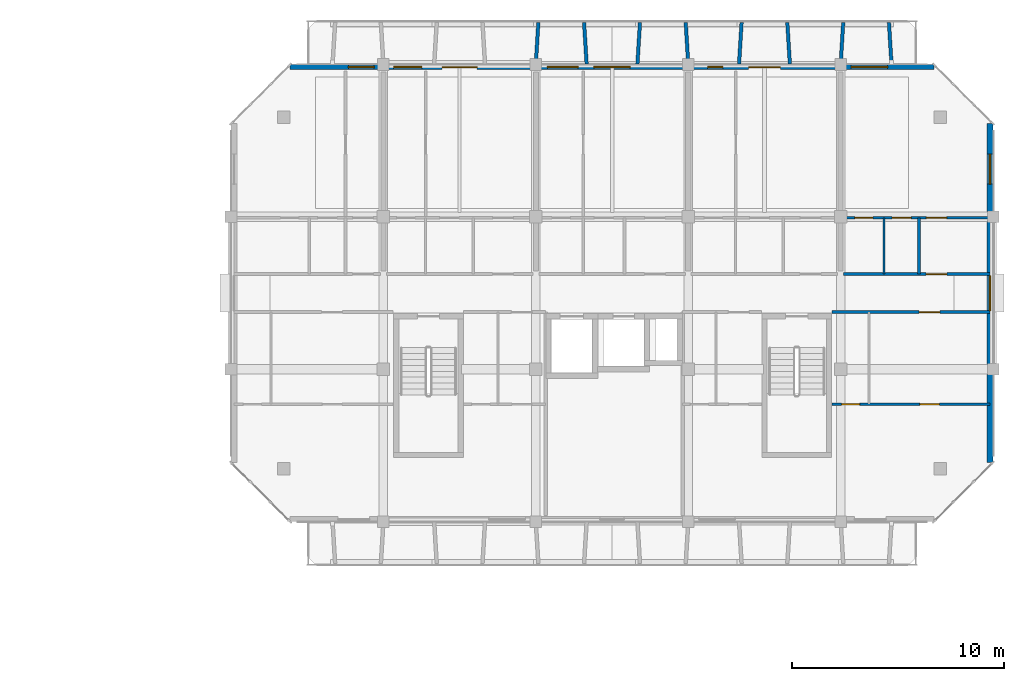
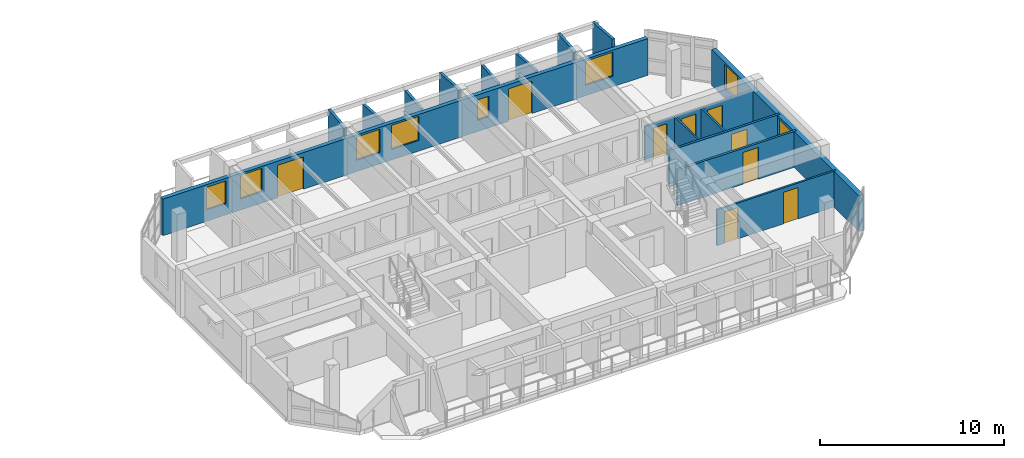
# One storey, part 46 of 64: 16 walls, 9 doors, 8 windows, 17 openings.
"""IFC4 building model written with IfcOpenShell, lengths in metres."""

from ifc_helpers import new_model, si_unit, direction, frame, frame_2d, origin, place, context, subcontext, project, spatial, rectangle, extrude, material, layer, layer_set, type_object, element, fill, save


model = new_model("IFC4")

# Units and contexts
model_context = context("Model", 3, precision=1e-05, world=origin(), true_north=direction((0.0, 1.0)))
body_context = subcontext(model_context, "Body", "Model", "MODEL_VIEW")
ifc_project = project(units=[si_unit("LENGTHUNIT", "METRE"), si_unit("AREAUNIT", "SQUARE_METRE"), si_unit("VOLUMEUNIT", "CUBIC_METRE"), si_unit("PLANEANGLEUNIT", "RADIAN"), si_unit("MASSUNIT", "GRAM", prefix="KILO")], contexts=[model_context])

# Site, building, storey
site_placement = place(None, origin())
site = spatial("IfcSite", under=ifc_project, at=site_placement, CompositionType="ELEMENT")
building_placement = place(site_placement, origin())
building = spatial("IfcBuilding", under=site, at=building_placement, Name="Ochrevale Crest", CompositionType="ELEMENT")
storey_placement = place(building_placement, frame((0.0, 0.0, 8.699951171875)))
storey = spatial("IfcBuildingStorey", under=building, at=storey_placement, Name="L02", CompositionType="ELEMENT", Elevation=8.699951171875)

# Wall, opening, door
ifc_material_1 = material(Name="Gypsum plasterboard", Category="gypsum")
ifc_layer_1 = layer(ifc_material_1, 0.139892578125)
ifc_layer_set_1 = layer_set([ifc_layer_1], Name="Gypsum plasterboard")
wall_type_1 = type_object("IfcWallType", Name="WL-COR-140", PredefinedType="PARTITIONING", material=ifc_layer_set_1)
wall_1_placement = place(storey_placement, frame((158.5400390625, 83.699951171875, 0.0), z_axis=(0.0, 0.0, 1.0), x_axis=(1.0, 0.0, 0.0)))
wall_1 = element("IfcWall", 1, at=wall_1_placement, inside=storey, type_object=wall_type_1, Name="Apartment D-L02-U5 corridor wall", PredefinedType="PARTITIONING", context=body_context, shape_type="SweptSolid", body=[
    extrude(rectangle(XDim=6.919921875, YDim=0.139892578125, at=frame_2d((3.4599609375, 0.0))), origin(), (0.0, 0.0, 1.0), 2.380126953125),
])
opening_1_placement = place(wall_1_placement, frame((4.875, 0.0, 0.0), z_axis=(0.0, 0.0, 1.0), x_axis=(-1.0, 0.0, 0.0)))
opening_1 = element("IfcOpeningElement", 2, at=opening_1_placement, cuts=wall_1, Name="Opening FD01", PredefinedType="OPENING", context=body_context, shape_type="SweptSolid", body=[
    extrude(rectangle(XDim=0.97998046875, YDim=2.10009765625, at=frame_2d((0.489990234375, 1.050048828125))), frame((0.0, 0.080078125, 0.0), z_axis=(0.0, -1.0, 0.0), x_axis=(1.0, 0.0, 0.0)), (0.0, 0.0, 1.0), 0.159912109375),
])
ifc_material_2 = material(Name="Solid-core FSC hardwood", Category="wood")
door_type_1 = type_object("IfcDoorType", Name="DR-APT-950", OperationType="NOTDEFINED", PredefinedType="DOOR", material=ifc_material_2)
door_1_placement = place(opening_1_placement, origin())
door_1 = element("IfcDoor", 3, at=door_1_placement, inside=storey, type_object=door_type_1, Name="Apartment D-L02-U5 entrance door", OperationType="SINGLE_SWING_RIGHT", OverallHeight=2.10009765625, OverallWidth=0.97998046875, PredefinedType="DOOR", context=body_context, shape_type="SweptSolid", body=[
    extrude(rectangle(XDim=0.97998046875, YDim=2.10009765625, at=frame_2d((0.489990234375, 1.050048828125))), frame((0.0, 0.02490234375, 0.0), z_axis=(0.0, -1.0, 0.0), x_axis=(1.0, 0.0, 0.0)), (0.0, 0.0, 1.0), 0.050048828125),
])
fill(opening_1, door_1)

wall_2_placement = place(storey_placement, frame((157.989990234375, 81.89990234375, 0.0), z_axis=(0.0, 0.0, 1.0), x_axis=(1.0, 0.0, 0.0)))
wall_2 = element("IfcWall", 4, at=wall_2_placement, inside=storey, type_object=wall_type_1, Name="Suite D-L02-CE corridor wall", PredefinedType="PARTITIONING", context=body_context, shape_type="SweptSolid", body=[
    extrude(rectangle(XDim=7.469970703125, YDim=0.139892578125, at=frame_2d((3.73486328125, 0.0))), origin(), (0.0, 0.0, 1.0), 2.380126953125),
])
opening_2_placement = place(wall_2_placement, frame((4.1201171875, 0.0, 0.0)))
opening_2 = element("IfcOpeningElement", 5, at=opening_2_placement, cuts=wall_2, Name="Opening FD01", PredefinedType="OPENING", context=body_context, shape_type="SweptSolid", body=[
    extrude(rectangle(XDim=0.97998046875, YDim=2.10009765625, at=frame_2d((0.489990234375, 1.050048828125))), frame((0.0, 0.080078125, 0.0), z_axis=(0.0, -1.0, 0.0), x_axis=(1.0, 0.0, 0.0)), (0.0, 0.0, 1.0), 0.159912109375),
])
door_2_placement = place(opening_2_placement, origin())
door_2 = element("IfcDoor", 6, at=door_2_placement, inside=storey, type_object=door_type_1, Name="Suite D-L02-CE entrance door", OperationType="SINGLE_SWING_LEFT", OverallHeight=2.10009765625, OverallWidth=0.97998046875, PredefinedType="DOOR", context=body_context, shape_type="SweptSolid", body=[
    extrude(rectangle(XDim=0.97998046875, YDim=2.10009765625, at=frame_2d((0.489990234375, 1.050048828125))), frame((0.0, 0.02490234375, 0.0), z_axis=(0.0, -1.0, 0.0), x_axis=(1.0, 0.0, 0.0)), (0.0, 0.0, 1.0), 0.050048828125),
])
fill(opening_2, door_2)

# Wall, openings, windows
ifc_material_3 = material(Name="Clay face brickwork", Category="masonry")
ifc_layer_2 = layer(ifc_material_3, 0.2900390625)
ifc_layer_set_2 = layer_set([ifc_layer_2], Name="Clay face brickwork")
wall_type_2 = type_object("IfcWallType", Name="WL-EXT-BRICK-290", PredefinedType="SOLIDWALL", material=ifc_layer_set_2)
wall_3_placement = place(storey_placement, frame((165.455078125, 74.800048828125, 0.0), z_axis=(0.0, 0.0, 1.0), x_axis=(0.0, 1.0, 0.0)))
wall_3 = element("IfcWall", 7, at=wall_3_placement, inside=storey, type_object=wall_type_2, Name="Block D L02 external facade wall E3", PredefinedType="SOLIDWALL", context=body_context, shape_type="SweptSolid", body=[
    extrude(rectangle(XDim=16.0, YDim=0.2900390625, at=frame_2d((8.0, 0.0))), origin(), (0.0, 0.0, 1.0), 2.380126953125),
])
opening_3_placement = place(wall_3_placement, frame((7.175048828125, 0.0, 1.050048828125)))
opening_3 = element("IfcOpeningElement", 8, at=opening_3_placement, cuts=wall_3, Name="Opening W19", PredefinedType="OPENING", context=body_context, shape_type="SweptSolid", body=[
    extrude(rectangle(XDim=1.64990234375, YDim=1.14990234375, at=frame_2d((0.824951171875, 0.574951171875))), frame((0.0, 0.155029296875, 0.0), z_axis=(0.0, -1.0, 0.0), x_axis=(1.0, 0.0, 0.0)), (0.0, 0.0, 1.0), 0.31005859375),
])
opening_4_placement = place(wall_3_placement, frame((13.142578125, 0.0, 0.669921875)))
opening_4 = element("IfcOpeningElement", 9, at=opening_4_placement, cuts=wall_3, Name="Opening W31", PredefinedType="OPENING", context=body_context, shape_type="SweptSolid", body=[
    extrude(rectangle(XDim=1.419921875, YDim=1.60009765625, at=frame_2d((0.7099609375, 0.800048828125))), frame((0.0, 0.155029296875, 0.0), z_axis=(0.0, -1.0, 0.0), x_axis=(1.0, 0.0, 0.0)), (0.0, 0.0, 1.0), 0.31005859375),
])
ifc_material_4 = material(Name="Anodised aluminium 6063-T5 and low-E double glazing", Category="aluminium")
window_type_1 = type_object("IfcWindowType", Name="WIN-W19", PartitioningType="SINGLE_PANEL", PredefinedType="WINDOW", material=ifc_material_4)
window_1_placement = place(opening_3_placement, origin())
window_1 = element("IfcWindow", 10, at=window_1_placement, inside=storey, type_object=window_type_1, Name="Block D L02 corridor end daylight window E", OverallHeight=1.14990234375, OverallWidth=1.64990234375, PartitioningType="SINGLE_PANEL", PredefinedType="WINDOW", context=body_context, shape_type="SweptSolid", body=[
    extrude(rectangle(XDim=1.64990234375, YDim=1.14990234375, at=frame_2d((0.824951171875, 0.574951171875))), frame((0.0, 0.030029296875, 0.0), z_axis=(0.0, -1.0, 0.0), x_axis=(1.0, 0.0, 0.0)), (0.0, 0.0, 1.0), 0.06005859375),
])
fill(opening_3, window_1)
window_type_2 = type_object("IfcWindowType", Name="WIN-W31", PartitioningType="SINGLE_PANEL", PredefinedType="WINDOW", material=ifc_material_4)
window_2_placement = place(opening_4_placement, origin())
window_2 = element("IfcWindow", 11, at=window_2_placement, inside=storey, type_object=window_type_2, Name="Block D L02 side suite window E", OverallHeight=1.60009765625, OverallWidth=1.419921875, PartitioningType="SINGLE_PANEL", PredefinedType="WINDOW", context=body_context, shape_type="SweptSolid", body=[
    extrude(rectangle(XDim=1.419921875, YDim=1.60009765625, at=frame_2d((0.7099609375, 0.800048828125))), frame((0.0, 0.030029296875, 0.0), z_axis=(0.0, -1.0, 0.0), x_axis=(1.0, 0.0, 0.0)), (0.0, 0.0, 1.0), 0.06005859375),
])
fill(opening_4, window_2)

# Wall, openings, doors, windows
ifc_material_5 = material(Name="Precast concrete C40/50", Category="concrete")
ifc_layer_3 = layer(ifc_material_5, 0.25)
ifc_layer_set_3 = layer_set([ifc_layer_3], Name="Precast concrete C40/50")
wall_type_3 = type_object("IfcWallType", Name="WL-EXT-GOLD-250", PredefinedType="SOLIDWALL", material=ifc_layer_set_3)
wall_4_placement = place(storey_placement, frame((162.800048828125, 93.47509765625, 0.0), z_axis=(0.0, 0.0, 1.0), x_axis=(-1.0, 0.0, 0.0)))
wall_4 = element("IfcWall", 12, at=wall_4_placement, inside=storey, type_object=wall_type_3, Name="Block D L02 external facade wall E5", PredefinedType="SOLIDWALL", context=body_context, shape_type="SweptSolid", body=[
    extrude(rectangle(XDim=30.400146484375, YDim=0.25, at=frame_2d((15.2001953125, 0.0))), origin(), (0.0, 0.0, 1.0), 2.429931640625),
])
opening_5_placement = place(wall_4_placement, frame((23.224853515625, 0.0, 0.0), z_axis=(0.0, 0.0, 1.0), x_axis=(-1.0, 0.0, 0.0)))
opening_5 = element("IfcOpeningElement", 13, at=opening_5_placement, cuts=wall_4, Name="Opening BD02", PredefinedType="OPENING", context=body_context, shape_type="SweptSolid", body=[
    extrude(rectangle(XDim=1.64990234375, YDim=2.14990234375, at=frame_2d((0.824951171875, 1.074951171875))), frame((0.0, 0.135009765625, 0.0), z_axis=(0.0, -1.0, 0.0), x_axis=(1.0, 0.0, 0.0)), (0.0, 0.0, 1.0), 0.27001953125),
])
opening_6_placement = place(wall_4_placement, frame((8.75, 0.0, 0.0), z_axis=(0.0, 0.0, 1.0), x_axis=(-1.0, 0.0, 0.0)))
opening_6 = element("IfcOpeningElement", 14, at=opening_6_placement, cuts=wall_4, Name="Opening BD01", PredefinedType="OPENING", context=body_context, shape_type="SweptSolid", body=[
    extrude(rectangle(XDim=1.5, YDim=2.14990234375, at=frame_2d((0.75, 1.074951171875))), frame((0.0, 0.135009765625, 0.0), z_axis=(0.0, -1.0, 0.0), x_axis=(1.0, 0.0, 0.0)), (0.0, 0.0, 1.0), 0.27001953125),
])
opening_7_placement = place(wall_4_placement, frame((26.4375, 0.0, 0.75)))
opening_7 = element("IfcOpeningElement", 15, at=opening_7_placement, cuts=wall_4, Name="Opening W06", PredefinedType="OPENING", context=body_context, shape_type="SweptSolid", body=[
    extrude(rectangle(XDim=1.219970703125, YDim=1.5, at=frame_2d((0.60986328125, 0.75))), frame((0.0, 0.135009765625, 0.0), z_axis=(0.0, -1.0, 0.0), x_axis=(1.0, 0.0, 0.0)), (0.0, 0.0, 1.0), 0.27001953125),
])
opening_8_placement = place(wall_4_placement, frame((24.1826171875, 0.0, 0.75)))
opening_8 = element("IfcOpeningElement", 16, at=opening_8_placement, cuts=wall_4, Name="Opening W07", PredefinedType="OPENING", context=body_context, shape_type="SweptSolid", body=[
    extrude(rectangle(XDim=1.340087890625, YDim=1.550048828125, at=frame_2d((0.669921875, 0.77490234375))), frame((0.0, 0.135009765625, 0.0), z_axis=(0.0, -1.0, 0.0), x_axis=(1.0, 0.0, 0.0)), (0.0, 0.0, 1.0), 0.27001953125),
])
opening_9_placement = place(wall_4_placement, frame((16.797607421875, 0.0, 0.75)))
opening_9 = element("IfcOpeningElement", 17, at=opening_9_placement, cuts=wall_4, Name="Opening W08", PredefinedType="OPENING", context=body_context, shape_type="SweptSolid", body=[
    extrude(rectangle(XDim=1.4599609375, YDim=1.550048828125, at=frame_2d((0.72998046875, 0.77490234375))), frame((0.0, 0.135009765625, 0.0), z_axis=(0.0, -1.0, 0.0), x_axis=(1.0, 0.0, 0.0)), (0.0, 0.0, 1.0), 0.27001953125),
])
opening_10_placement = place(wall_4_placement, frame((14.340087890625, 0.0, 0.699951171875)))
opening_10 = element("IfcOpeningElement", 18, at=opening_10_placement, cuts=wall_4, Name="Opening W10", PredefinedType="OPENING", context=body_context, shape_type="SweptSolid", body=[
    extrude(rectangle(XDim=1.719970703125, YDim=1.60009765625, at=frame_2d((0.85986328125, 0.800048828125))), frame((0.0, 0.135009765625, 0.0), z_axis=(0.0, -1.0, 0.0), x_axis=(1.0, 0.0, 0.0)), (0.0, 0.0, 1.0), 0.27001953125),
])
opening_11_placement = place(wall_4_placement, frame((9.967529296875, 0.0, 0.75)))
opening_11 = element("IfcOpeningElement", 19, at=opening_11_placement, cuts=wall_4, Name="Opening W02", PredefinedType="OPENING", context=body_context, shape_type="SweptSolid", body=[
    extrude(rectangle(XDim=0.719970703125, YDim=1.35009765625, at=frame_2d((0.35986328125, 0.675048828125))), frame((0.0, 0.135009765625, 0.0), z_axis=(0.0, -1.0, 0.0), x_axis=(1.0, 0.0, 0.0)), (0.0, 0.0, 1.0), 0.27001953125),
])
opening_12_placement = place(wall_4_placement, frame((2.1826171875, 0.0, 0.699951171875)))
opening_12 = element("IfcOpeningElement", 20, at=opening_12_placement, cuts=wall_4, Name="Opening W10", PredefinedType="OPENING", context=body_context, shape_type="SweptSolid", body=[
    extrude(rectangle(XDim=1.719970703125, YDim=1.60009765625, at=frame_2d((0.85986328125, 0.800048828125))), frame((0.0, 0.135009765625, 0.0), z_axis=(0.0, -1.0, 0.0), x_axis=(1.0, 0.0, 0.0)), (0.0, 0.0, 1.0), 0.27001953125),
])
ifc_material_6 = material(Name="Anodised aluminium 6063-T5 and toughened glass", Category="aluminium")
door_type_2 = type_object("IfcDoorType", Name="DR-BAL-1500", OperationType="NOTDEFINED", PredefinedType="DOOR", material=ifc_material_6)
door_3_placement = place(opening_6_placement, origin())
door_3 = element("IfcDoor", 21, at=door_3_placement, inside=storey, type_object=door_type_2, Name="Block D L02 balcony door N4", OperationType="SINGLE_SWING_RIGHT", OverallHeight=2.14990234375, OverallWidth=1.5, PredefinedType="DOOR", context=body_context, shape_type="SweptSolid", body=[
    extrude(rectangle(XDim=1.5, YDim=2.14990234375, at=frame_2d((0.75, 1.074951171875))), frame((0.0, 0.02490234375, 0.0), z_axis=(0.0, -1.0, 0.0), x_axis=(1.0, 0.0, 0.0)), (0.0, 0.0, 1.0), 0.050048828125),
])
fill(opening_6, door_3)
door_type_3 = type_object("IfcDoorType", Name="DR-BAL-1650", OperationType="NOTDEFINED", PredefinedType="DOOR", material=ifc_material_6)
door_4_placement = place(opening_5_placement, origin())
door_4 = element("IfcDoor", 22, at=door_4_placement, inside=storey, type_object=door_type_3, Name="Block D L02 balcony door N2", OperationType="SINGLE_SWING_LEFT", OverallHeight=2.14990234375, OverallWidth=1.64990234375, PredefinedType="DOOR", context=body_context, shape_type="SweptSolid", body=[
    extrude(rectangle(XDim=1.64990234375, YDim=2.14990234375, at=frame_2d((0.824951171875, 1.074951171875))), frame((0.0, 0.02490234375, 0.0), z_axis=(0.0, -1.0, 0.0), x_axis=(1.0, 0.0, 0.0)), (0.0, 0.0, 1.0), 0.050048828125),
])
fill(opening_5, door_4)
window_type_3 = type_object("IfcWindowType", Name="WIN-W02", PartitioningType="SINGLE_PANEL", PredefinedType="WINDOW", material=ifc_material_4)
window_3_placement = place(opening_11_placement, origin())
window_3 = element("IfcWindow", 23, at=window_3_placement, inside=storey, type_object=window_type_3, Name="Block D L02 Apartment D-L02-U4 Twin Bedroom window", OverallHeight=1.35009765625, OverallWidth=0.719970703125, PartitioningType="SINGLE_PANEL", PredefinedType="WINDOW", context=body_context, shape_type="SweptSolid", body=[
    extrude(rectangle(XDim=0.719970703125, YDim=1.35009765625, at=frame_2d((0.35986328125, 0.675048828125))), frame((0.0, 0.030029296875, 0.0), z_axis=(0.0, -1.0, 0.0), x_axis=(1.0, 0.0, 0.0)), (0.0, 0.0, 1.0), 0.06005859375),
])
fill(opening_11, window_3)
window_type_4 = type_object("IfcWindowType", Name="WIN-W06", PartitioningType="SINGLE_PANEL", PredefinedType="WINDOW", material=ifc_material_4)
window_4_placement = place(opening_7_placement, origin())
window_4 = element("IfcWindow", 24, at=window_4_placement, inside=storey, type_object=window_type_4, Name="Block D L02 Apartment D-L02-U1 Two Bedroom Living Room window", OverallHeight=1.5, OverallWidth=1.219970703125, PartitioningType="SINGLE_PANEL", PredefinedType="WINDOW", context=body_context, shape_type="SweptSolid", body=[
    extrude(rectangle(XDim=1.219970703125, YDim=1.5, at=frame_2d((0.60986328125, 0.75))), frame((0.0, 0.030029296875, 0.0), z_axis=(0.0, -1.0, 0.0), x_axis=(1.0, 0.0, 0.0)), (0.0, 0.0, 1.0), 0.06005859375),
])
fill(opening_7, window_4)
window_type_5 = type_object("IfcWindowType", Name="WIN-W07", PartitioningType="SINGLE_PANEL", PredefinedType="WINDOW", material=ifc_material_4)
window_5_placement = place(opening_8_placement, origin())
window_5 = element("IfcWindow", 25, at=window_5_placement, inside=storey, type_object=window_type_5, Name="Block D L02 Apartment D-L02-U2 Master Bedroom window", OverallHeight=1.550048828125, OverallWidth=1.340087890625, PartitioningType="SINGLE_PANEL", PredefinedType="WINDOW", context=body_context, shape_type="SweptSolid", body=[
    extrude(rectangle(XDim=1.340087890625, YDim=1.550048828125, at=frame_2d((0.669921875, 0.77490234375))), frame((0.0, 0.030029296875, 0.0), z_axis=(0.0, -1.0, 0.0), x_axis=(1.0, 0.0, 0.0)), (0.0, 0.0, 1.0), 0.06005859375),
])
fill(opening_8, window_5)
window_type_6 = type_object("IfcWindowType", Name="WIN-W08", PartitioningType="SINGLE_PANEL", PredefinedType="WINDOW", material=ifc_material_4)
window_6_placement = place(opening_9_placement, origin())
window_6 = element("IfcWindow", 26, at=window_6_placement, inside=storey, type_object=window_type_6, Name="Block D L02 Apartment D-L02-U3 Master Bedroom window", OverallHeight=1.550048828125, OverallWidth=1.4599609375, PartitioningType="SINGLE_PANEL", PredefinedType="WINDOW", context=body_context, shape_type="SweptSolid", body=[
    extrude(rectangle(XDim=1.4599609375, YDim=1.550048828125, at=frame_2d((0.72998046875, 0.77490234375))), frame((0.0, 0.030029296875, 0.0), z_axis=(0.0, -1.0, 0.0), x_axis=(1.0, 0.0, 0.0)), (0.0, 0.0, 1.0), 0.06005859375),
])
fill(opening_9, window_6)
window_type_7 = type_object("IfcWindowType", Name="WIN-W10", PartitioningType="SINGLE_PANEL", PredefinedType="WINDOW", material=ifc_material_4)
window_7_placement = place(opening_10_placement, origin())
window_7 = element("IfcWindow", 27, at=window_7_placement, inside=storey, type_object=window_type_7, Name="Block D L02 Apartment D-L02-U3 One Bedroom Living Room window", OverallHeight=1.60009765625, OverallWidth=1.719970703125, PartitioningType="SINGLE_PANEL", PredefinedType="WINDOW", context=body_context, shape_type="SweptSolid", body=[
    extrude(rectangle(XDim=1.719970703125, YDim=1.60009765625, at=frame_2d((0.85986328125, 0.800048828125))), frame((0.0, 0.030029296875, 0.0), z_axis=(0.0, -1.0, 0.0), x_axis=(1.0, 0.0, 0.0)), (0.0, 0.0, 1.0), 0.06005859375),
])
fill(opening_10, window_7)
window_8_placement = place(opening_12_placement, origin())
window_8 = element("IfcWindow", 28, at=window_8_placement, inside=storey, type_object=window_type_7, Name="Block D L02 Studio D-L02-U5 Living Room window", OverallHeight=1.60009765625, OverallWidth=1.719970703125, PartitioningType="SINGLE_PANEL", PredefinedType="WINDOW", context=body_context, shape_type="SweptSolid", body=[
    extrude(rectangle(XDim=1.719970703125, YDim=1.60009765625, at=frame_2d((0.85986328125, 0.800048828125))), frame((0.0, 0.030029296875, 0.0), z_axis=(0.0, -1.0, 0.0), x_axis=(1.0, 0.0, 0.0)), (0.0, 0.0, 1.0), 0.06005859375),
])
fill(opening_12, window_8)

# Walls
ifc_layer_4 = layer(ifc_material_5, 0.1650390625)
ifc_layer_set_4 = layer_set([ifc_layer_4], Name="Precast concrete C40/50")
wall_type_4 = type_object("IfcWallType", Name="WL-HC-CHEEK-165", PredefinedType="ELEMENTEDWALL", material=ifc_layer_set_4)
wall_5_placement = place(storey_placement, frame((144.0, 93.6201171875, 0.0), z_axis=(0.0, 0.0, 1.0), x_axis=(0.061170732449, 0.998127317276, 0.0)))
element("IfcWall", 29, at=wall_5_placement, inside=storey, type_object=wall_type_4, Name="Block D L02 N precast honeycomb cheek 5", PredefinedType="ELEMENTEDWALL", context=body_context, shape_type="SweptSolid", body=[
    extrude(rectangle(XDim=1.963623046875, YDim=0.1650390625, at=frame_2d((0.98193359375, 0.0))), origin(), (0.0, 0.0, 1.0), 2.949951171875),
])
for number, where, z_axis, x_axis, name in (
    (30, (146.39990234375, 93.6201171875, 0.0), (0.0, 0.0, 1.0), (-0.061046865508, 0.998134900808, 0.0), "Block D L02 N precast honeycomb cheek 6"),
    (31, (148.800048828125, 93.6201171875, 0.0), (0.0, 0.0, 1.0), (0.061046865508, 0.998134900808, 0.0), "Block D L02 N precast honeycomb cheek 7"),
):
    element("IfcWall", number, at=place(storey_placement, frame(where, z_axis=z_axis, x_axis=x_axis)), inside=storey, type_object=wall_type_4, Name=name, PredefinedType="ELEMENTEDWALL", context=body_context, shape_type="SweptSolid", body=[
        extrude(rectangle(XDim=1.963623046875, YDim=0.1650390625, at=frame_2d((0.98193359375, 0.0))), origin(), (0.0, 0.0, 1.0), 2.530029296875),
    ])
wall_6_placement = place(storey_placement, frame((151.199951171875, 93.6201171875, 0.0), z_axis=(0.0, 0.0, 1.0), x_axis=(-0.061046865508, 0.998134900808, 0.0)))
element("IfcWall", 32, at=wall_6_placement, inside=storey, type_object=wall_type_4, Name="Block D L02 N precast honeycomb cheek 8", PredefinedType="ELEMENTEDWALL", context=body_context, shape_type="SweptSolid", body=[
    extrude(rectangle(XDim=1.963623046875, YDim=0.1650390625, at=frame_2d((0.98193359375, 0.0))), origin(), (0.0, 0.0, 1.0), 2.949951171875),
])
for number, where, z_axis, x_axis, name in (
    (33, (153.60009765625, 93.6201171875, 0.0), (0.0, 0.0, 1.0), (0.061046865508, 0.998134900808, 0.0), "Block D L02 N precast honeycomb cheek 9"),
    (34, (156.0, 93.6201171875, 0.0), (0.0, 0.0, 1.0), (-0.061170732449, 0.998127317276, 0.0), "Block D L02 N precast honeycomb cheek 10"),
):
    element("IfcWall", number, at=place(storey_placement, frame(where, z_axis=z_axis, x_axis=x_axis)), inside=storey, type_object=wall_type_4, Name=name, PredefinedType="ELEMENTEDWALL", context=body_context, shape_type="SweptSolid", body=[
        extrude(rectangle(XDim=1.963623046875, YDim=0.1650390625, at=frame_2d((0.98193359375, 0.0))), origin(), (0.0, 0.0, 1.0), 2.550048828125),
    ])
for number, where, z_axis, x_axis, name in (
    (35, (158.39990234375, 93.6201171875, 0.0), (0.0, 0.0, 1.0), (0.061170732449, 0.998127317276, 0.0), "Block D L02 N precast honeycomb cheek 11"),
    (36, (160.800048828125, 93.6201171875, 0.0), (0.0, 0.0, 1.0), (-0.061170732449, 0.998127317276, 0.0), "Block D L02 N precast honeycomb cheek 12"),
):
    element("IfcWall", number, at=place(storey_placement, frame(where, z_axis=z_axis, x_axis=x_axis)), inside=storey, type_object=wall_type_4, Name=name, PredefinedType="ELEMENTEDWALL", context=body_context, shape_type="SweptSolid", body=[
        extrude(rectangle(XDim=1.963623046875, YDim=0.1650390625, at=frame_2d((0.98193359375, 0.0))), origin(), (0.0, 0.0, 1.0), 2.949951171875),
    ])
ifc_layer_5 = layer(ifc_material_1, 0.1201171875)
ifc_layer_set_5 = layer_set([ifc_layer_5], Name="Gypsum plasterboard")
wall_type_5 = type_object("IfcWallType", Name="WL-PART-120", PredefinedType="PARTITIONING", material=ifc_layer_set_5)
wall_7_placement = place(storey_placement, frame((162.10009765625, 83.699951171875, 0.0), z_axis=(0.0, 0.0, 1.0), x_axis=(0.0, 1.0, 0.0)))
element("IfcWall", 37, at=wall_7_placement, inside=storey, type_object=wall_type_5, Name="Apartment D-L02-U5 kitchen-foyer wall", PredefinedType="PARTITIONING", context=body_context, shape_type="SweptSolid", body=[
    extrude(rectangle(XDim=2.650146484375, YDim=0.1201171875, at=frame_2d((1.3251953125, 0.0))), origin(), (0.0, 0.0, 1.0), 2.375),
])

# Wall, openings, doors
wall_8_placement = place(storey_placement, frame((158.5400390625, 86.35009765625, 0.0), z_axis=(0.0, 0.0, 1.0), x_axis=(1.0, 0.0, 0.0)))
wall_8 = element("IfcWall", 38, at=wall_8_placement, inside=storey, type_object=wall_type_5, Name="Apartment D-L02-U5 central partition", PredefinedType="PARTITIONING", context=body_context, shape_type="SweptSolid", body=[
    extrude(rectangle(XDim=6.919921875, YDim=0.1201171875, at=frame_2d((3.4599609375, 0.0))), origin(), (0.0, 0.0, 1.0), 2.375),
])
opening_13_placement = place(wall_8_placement, frame((0.530029296875, 0.0, 0.0)))
opening_13 = element("IfcOpeningElement", 39, at=opening_13_placement, cuts=wall_8, Name="Opening ID01", PredefinedType="OPENING", context=body_context, shape_type="SweptSolid", body=[
    extrude(rectangle(XDim=0.85009765625, YDim=2.080078125, at=frame_2d((0.425048828125, 1.0400390625))), frame((0.0, 0.070068359375, 0.0), z_axis=(0.0, -1.0, 0.0), x_axis=(1.0, 0.0, 0.0)), (0.0, 0.0, 1.0), 0.14013671875),
])
opening_14_placement = place(wall_8_placement, frame((3.184814453125, 0.0, 0.0), z_axis=(0.0, 0.0, 1.0), x_axis=(-1.0, 0.0, 0.0)))
opening_14 = element("IfcOpeningElement", 40, at=opening_14_placement, cuts=wall_8, Name="Opening ID02", PredefinedType="OPENING", context=body_context, shape_type="SweptSolid", body=[
    extrude(rectangle(XDim=0.89990234375, YDim=2.080078125, at=frame_2d((0.449951171875, 1.0400390625))), frame((0.0, 0.070068359375, 0.0), z_axis=(0.0, -1.0, 0.0), x_axis=(1.0, 0.0, 0.0)), (0.0, 0.0, 1.0), 0.14013671875),
])
opening_15_placement = place(wall_8_placement, frame((3.909912109375, 0.0, 0.0)))
opening_15 = element("IfcOpeningElement", 41, at=opening_15_placement, cuts=wall_8, Name="Opening ID06", PredefinedType="OPENING", context=body_context, shape_type="SweptSolid", body=[
    extrude(rectangle(XDim=0.949951171875, YDim=2.080078125, at=frame_2d((0.47509765625, 1.0400390625))), frame((0.0, 0.070068359375, 0.0), z_axis=(0.0, -1.0, 0.0), x_axis=(1.0, 0.0, 0.0)), (0.0, 0.0, 1.0), 0.14013671875),
])
door_type_4 = type_object("IfcDoorType", Name="DR-INT-900", OperationType="NOTDEFINED", PredefinedType="DOOR", material=ifc_material_2)
door_5_placement = place(opening_14_placement, origin())
door_5 = element("IfcDoor", 42, at=door_5_placement, inside=storey, type_object=door_type_4, Name="Apartment D-L02-U5 Kitchen door", OperationType="SINGLE_SWING_RIGHT", OverallHeight=2.080078125, OverallWidth=0.89990234375, PredefinedType="DOOR", context=body_context, shape_type="SweptSolid", body=[
    extrude(rectangle(XDim=0.89990234375, YDim=2.080078125, at=frame_2d((0.449951171875, 1.0400390625))), frame((0.0, 0.02490234375, 0.0), z_axis=(0.0, -1.0, 0.0), x_axis=(1.0, 0.0, 0.0)), (0.0, 0.0, 1.0), 0.050048828125),
])
fill(opening_14, door_5)
door_type_5 = type_object("IfcDoorType", Name="DR-INT-950", OperationType="NOTDEFINED", PredefinedType="DOOR", material=ifc_material_2)
door_6_placement = place(opening_15_placement, origin())
door_6 = element("IfcDoor", 43, at=door_6_placement, inside=storey, type_object=door_type_5, Name="Apartment D-L02-U5 Living Foyer door", OperationType="SINGLE_SWING_LEFT", OverallHeight=2.080078125, OverallWidth=0.949951171875, PredefinedType="DOOR", context=body_context, shape_type="SweptSolid", body=[
    extrude(rectangle(XDim=0.949951171875, YDim=2.080078125, at=frame_2d((0.47509765625, 1.0400390625))), frame((0.0, 0.02490234375, 0.0), z_axis=(0.0, -1.0, 0.0), x_axis=(1.0, 0.0, 0.0)), (0.0, 0.0, 1.0), 0.050048828125),
])
fill(opening_15, door_6)
door_type_6 = type_object("IfcDoorType", Name="DR-WC-850", OperationType="NOTDEFINED", PredefinedType="DOOR", material=ifc_material_2)
door_7_placement = place(opening_13_placement, origin())
door_7 = element("IfcDoor", 44, at=door_7_placement, inside=storey, type_object=door_type_6, Name="Apartment D-L02-U5 Bathroom door", OperationType="SINGLE_SWING_LEFT", OverallHeight=2.080078125, OverallWidth=0.85009765625, PredefinedType="DOOR", context=body_context, shape_type="SweptSolid", body=[
    extrude(rectangle(XDim=0.85009765625, YDim=2.080078125, at=frame_2d((0.425048828125, 1.0400390625))), frame((0.0, 0.02490234375, 0.0), z_axis=(0.0, -1.0, 0.0), x_axis=(1.0, 0.0, 0.0)), (0.0, 0.0, 1.0), 0.050048828125),
])
fill(opening_13, door_7)

wall_9_placement = place(storey_placement, frame((157.989990234375, 77.550048828125, 0.0), z_axis=(0.0, 0.0, 1.0), x_axis=(1.0, 0.0, 0.0)))
wall_9 = element("IfcWall", 45, at=wall_9_placement, inside=storey, type_object=wall_type_5, Name="Suite D-L02-CE internal wall", PredefinedType="PARTITIONING", context=body_context, shape_type="SweptSolid", body=[
    extrude(rectangle(XDim=7.469970703125, YDim=0.1201171875, at=frame_2d((3.73486328125, 0.0))), origin(), (0.0, 0.0, 1.0), 2.380126953125),
])
opening_16_placement = place(wall_9_placement, frame((1.300048828125, 0.0, 0.0), z_axis=(0.0, 0.0, 1.0), x_axis=(-1.0, 0.0, 0.0)))
opening_16 = element("IfcOpeningElement", 46, at=opening_16_placement, cuts=wall_9, Name="Opening ID01", PredefinedType="OPENING", context=body_context, shape_type="SweptSolid", body=[
    extrude(rectangle(XDim=0.85009765625, YDim=2.080078125, at=frame_2d((0.425048828125, 1.0400390625))), frame((0.0, 0.070068359375, 0.0), z_axis=(0.0, -1.0, 0.0), x_axis=(1.0, 0.0, 0.0)), (0.0, 0.0, 1.0), 0.14013671875),
])
opening_17_placement = place(wall_9_placement, frame((4.14990234375, 0.0, 0.0)))
opening_17 = element("IfcOpeningElement", 47, at=opening_17_placement, cuts=wall_9, Name="Opening ID04", PredefinedType="OPENING", context=body_context, shape_type="SweptSolid", body=[
    extrude(rectangle(XDim=0.919921875, YDim=2.080078125, at=frame_2d((0.4599609375, 1.0400390625))), frame((0.0, 0.070068359375, 0.0), z_axis=(0.0, -1.0, 0.0), x_axis=(1.0, 0.0, 0.0)), (0.0, 0.0, 1.0), 0.14013671875),
])
door_type_7 = type_object("IfcDoorType", Name="DR-INT-920", OperationType="NOTDEFINED", PredefinedType="DOOR", material=ifc_material_2)
door_8_placement = place(opening_17_placement, origin())
door_8 = element("IfcDoor", 48, at=door_8_placement, inside=storey, type_object=door_type_7, Name="Suite D-L02-CE Master Bedroom door", OperationType="SINGLE_SWING_LEFT", OverallHeight=2.080078125, OverallWidth=0.919921875, PredefinedType="DOOR", context=body_context, shape_type="SweptSolid", body=[
    extrude(rectangle(XDim=0.919921875, YDim=2.080078125, at=frame_2d((0.4599609375, 1.0400390625))), frame((0.0, 0.02490234375, 0.0), z_axis=(0.0, -1.0, 0.0), x_axis=(1.0, 0.0, 0.0)), (0.0, 0.0, 1.0), 0.050048828125),
])
fill(opening_17, door_8)
door_9_placement = place(opening_16_placement, origin())
door_9 = element("IfcDoor", 49, at=door_9_placement, inside=storey, type_object=door_type_6, Name="Suite D-L02-CE Bathroom door", OperationType="SINGLE_SWING_RIGHT", OverallHeight=2.080078125, OverallWidth=0.85009765625, PredefinedType="DOOR", context=body_context, shape_type="SweptSolid", body=[
    extrude(rectangle(XDim=0.85009765625, YDim=2.080078125, at=frame_2d((0.425048828125, 1.0400390625))), frame((0.0, 0.02490234375, 0.0), z_axis=(0.0, -1.0, 0.0), x_axis=(1.0, 0.0, 0.0)), (0.0, 0.0, 1.0), 0.050048828125),
])
fill(opening_16, door_9)

# Wall
ifc_layer_6 = layer(ifc_material_1, 0.10009765625)
ifc_layer_set_6 = layer_set([ifc_layer_6], Name="Gypsum plasterboard")
wall_type_6 = type_object("IfcWallType", Name="WL-WET-100", PredefinedType="PARTITIONING", material=ifc_layer_set_6)
wall_10_placement = place(storey_placement, frame((160.449951171875, 83.699951171875, 0.0), z_axis=(0.0, 0.0, 1.0), x_axis=(0.0, 1.0, 0.0)))
element("IfcWall", 50, at=wall_10_placement, inside=storey, type_object=wall_type_6, Name="Apartment D-L02-U5 bath-kitchen wall", PredefinedType="PARTITIONING", context=body_context, shape_type="SweptSolid", body=[
    extrude(rectangle(XDim=2.650146484375, YDim=0.10009765625, at=frame_2d((1.3251953125, 0.0))), origin(), (0.0, 0.0, 1.0), 2.375),
])

save(model, "model.ifc")
